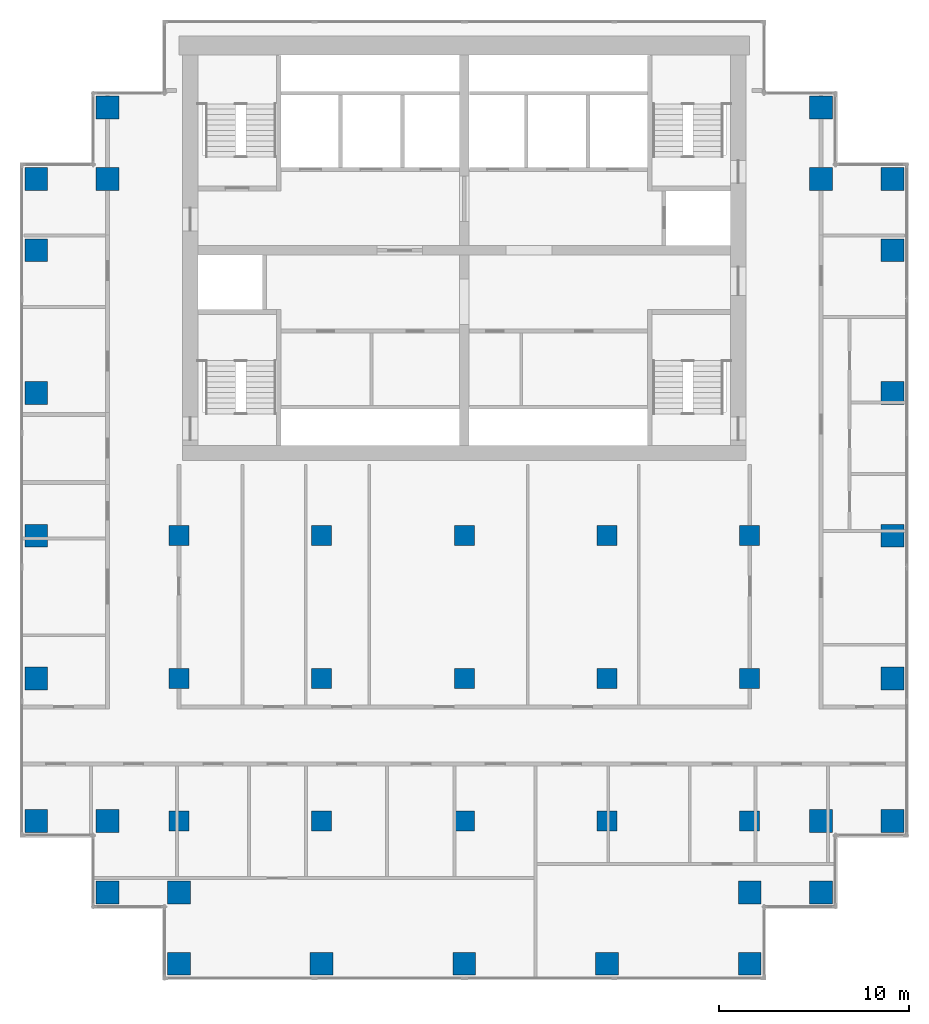
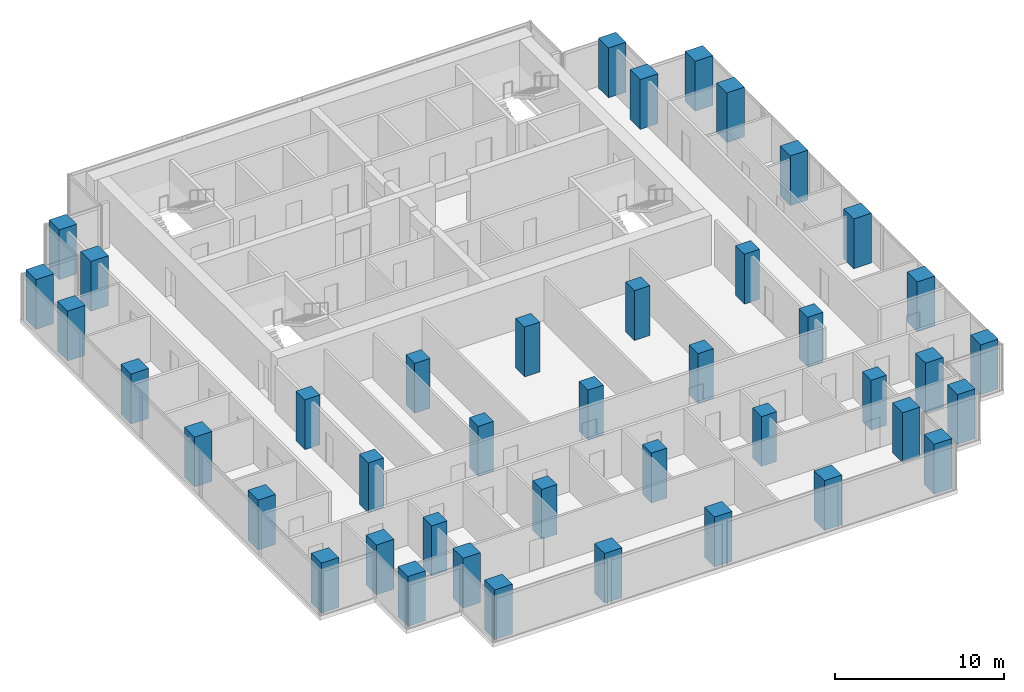
# One storey, part 1 of 11: 42 columns.
"""IFC4 building model written with IfcOpenShell, lengths in metres."""

from ifc_helpers import new_model, si_unit, direction, frame, origin, origin_2d, place, context, subcontext, project, spatial, rectangle, extrude, material, material_profile, profile_set, type_object, element, save


model = new_model("IFC4")

# Units and contexts
model_context = context("Model", 3, precision=1e-05, world=origin(), true_north=direction((0.0, 1.0)))
body_context = subcontext(model_context, "Body", "Model", "MODEL_VIEW")
ifc_project = project(units=[si_unit("LENGTHUNIT", "METRE"), si_unit("AREAUNIT", "SQUARE_METRE"), si_unit("VOLUMEUNIT", "CUBIC_METRE"), si_unit("PLANEANGLEUNIT", "RADIAN"), si_unit("MASSUNIT", "GRAM", prefix="KILO")], contexts=[model_context])

# Site, building, storey
site_placement = place(None, origin())
site = spatial("IfcSite", under=ifc_project, at=site_placement, CompositionType="ELEMENT")
building_placement = place(site_placement, origin())
building = spatial("IfcBuilding", under=site, at=building_placement, Name="Pilkhan Gate Tower", CompositionType="ELEMENT")
storey_placement = place(building_placement, frame((0.0, 0.0, 172.89990234375)))
storey = spatial("IfcBuildingStorey", under=building, at=storey_placement, Name="L44", CompositionType="ELEMENT", Elevation=172.89990234375)

# Columns
ifc_material = material(Name="Concrete C60/75", Category="concrete")
ifc_material_profile_1 = material_profile(ifc_material, rectangle(XDim=1.050048828125, YDim=1.050048828125, at=origin_2d()), Name="RC 1050x1050")
ifc_profile_set_1 = profile_set([ifc_material_profile_1], Name="Concrete C60/75")
column_type_1 = type_object("IfcColumnType", Name="Column C105 RC 1050x1050 C60/75", PredefinedType="COLUMN", material=ifc_profile_set_1)
for number, where, z_axis, x_axis, name in (
    (1, (60.0, 52.5, 0.0), (0.0, 0.0, 1.0), (1.0, 0.0, 0.0), "Column 7/D L44"),
    (2, (60.0, 60.0, 0.0), (0.0, 0.0, 1.0), (1.0, 0.0, 0.0), "Column 7/F L44"),
    (3, (60.0, 67.5, 0.0), (0.0, 0.0, 1.0), (1.0, 0.0, 0.0), "Column 7/H L44"),
    (4, (67.5, 52.5, 0.0), (0.0, 0.0, 1.0), (1.0, 0.0, 0.0), "Column 9/D L44"),
    (5, (67.5, 60.0, 0.0), (0.0, 0.0, 1.0), (1.0, 0.0, 0.0), "Column 9/F L44"),
    (6, (67.5, 67.5, 0.0), (0.0, 0.0, 1.0), (1.0, 0.0, 0.0), "Column 9/H L44"),
    (7, (75.0, 52.5, 0.0), (0.0, 0.0, 1.0), (1.0, 0.0, 0.0), "Column 11/D L44"),
    (8, (75.0, 60.0, 0.0), (0.0, 0.0, 1.0), (1.0, 0.0, 0.0), "Column 11/F L44"),
    (9, (75.0, 67.5, 0.0), (0.0, 0.0, 1.0), (1.0, 0.0, 0.0), "Column 11/H L44"),
    (10, (82.5, 52.5, 0.0), (0.0, 0.0, 1.0), (1.0, 0.0, 0.0), "Column 13/D L44"),
    (11, (82.5, 60.0, 0.0), (0.0, 0.0, 1.0), (1.0, 0.0, 0.0), "Column 13/F L44"),
    (12, (82.5, 67.5, 0.0), (0.0, 0.0, 1.0), (1.0, 0.0, 0.0), "Column 13/H L44"),
    (13, (90.0, 52.5, 0.0), (0.0, 0.0, 1.0), (1.0, 0.0, 0.0), "Column 15/D L44"),
    (14, (90.0, 60.0, 0.0), (0.0, 0.0, 1.0), (1.0, 0.0, 0.0), "Column 15/F L44"),
    (15, (90.0, 67.5, 0.0), (0.0, 0.0, 1.0), (1.0, 0.0, 0.0), "Column 15/H L44"),
):
    element("IfcColumn", number, at=place(storey_placement, frame(where, z_axis=z_axis, x_axis=x_axis)), inside=storey, type_object=column_type_1, Name=name, PredefinedType="COLUMN", context=body_context, shape_type="SweptSolid", body=[
        extrude(rectangle(XDim=1.050048828125, YDim=1.050048828125, at=origin_2d()), origin(), (0.0, 0.0, 1.0), 3.60009765625),
    ])
ifc_material_profile_2 = material_profile(ifc_material, rectangle(XDim=1.199951171875, YDim=1.199951171875, at=origin_2d()), Name="RC 1200x1200")
ifc_profile_set_2 = profile_set([ifc_material_profile_2], Name="Concrete C60/75")
column_type_2 = type_object("IfcColumnType", Name="Column C120 RC 1200x1200 C60/75", PredefinedType="COLUMN", material=ifc_profile_set_2)
for number, where, z_axis, x_axis, name in (
    (16, (52.5, 52.5, 0.0), (0.0, 0.0, 1.0), (1.0, 0.0, 0.0), "Column 5/D L44"),
    (17, (52.5, 60.0, 0.0), (0.0, 0.0, 1.0), (1.0, 0.0, 0.0), "Column 5/F L44"),
    (18, (52.5, 67.5, 0.0), (0.0, 0.0, 1.0), (1.0, 0.0, 0.0), "Column 5/H L44"),
    (19, (52.5, 75.0, 0.0), (0.0, 0.0, 1.0), (1.0, 0.0, 0.0), "Column 5/K L44"),
    (20, (52.5, 82.5, 0.0), (0.0, 0.0, 1.0), (1.0, 0.0, 0.0), "Column 5/M L44"),
    (21, (52.5, 86.25, 0.0), (0.0, 0.0, 1.0), (1.0, 0.0, 0.0), "Column 5/N L44"),
    (22, (56.25, 48.75, 0.0), (0.0, 0.0, 1.0), (1.0, 0.0, 0.0), "Column 6/C L44"),
    (23, (56.25, 52.5, 0.0), (0.0, 0.0, 1.0), (1.0, 0.0, 0.0), "Column 6/D L44"),
    (24, (56.25, 86.25, 0.0), (0.0, 0.0, 1.0), (1.0, 0.0, 0.0), "Column 6/N L44"),
    (25, (56.25, 90.0, 0.0), (0.0, 0.0, 1.0), (1.0, 0.0, 0.0), "Column 6/P L44"),
    (26, (60.0, 45.0, 0.0), (0.0, 0.0, 1.0), (1.0, 0.0, 0.0), "Column 7/B L44"),
    (27, (60.0, 48.75, 0.0), (0.0, 0.0, 1.0), (1.0, 0.0, 0.0), "Column 7/C L44"),
    (28, (67.5, 45.0, 0.0), (0.0, 0.0, 1.0), (1.0, 0.0, 0.0), "Column 9/B L44"),
    (29, (75.0, 45.0, 0.0), (0.0, 0.0, 1.0), (1.0, 0.0, 0.0), "Column 11/B L44"),
    (30, (82.5, 45.0, 0.0), (0.0, 0.0, 1.0), (1.0, 0.0, 0.0), "Column 13/B L44"),
    (31, (90.0, 45.0, 0.0), (0.0, 0.0, 1.0), (1.0, 0.0, 0.0), "Column 15/B L44"),
    (32, (90.0, 48.75, 0.0), (0.0, 0.0, 1.0), (1.0, 0.0, 0.0), "Column 15/C L44"),
    (33, (93.75, 48.75, 0.0), (0.0, 0.0, 1.0), (1.0, 0.0, 0.0), "Column 16/C L44"),
    (34, (93.75, 52.5, 0.0), (0.0, 0.0, 1.0), (1.0, 0.0, 0.0), "Column 16/D L44"),
    (35, (93.75, 86.25, 0.0), (0.0, 0.0, 1.0), (1.0, 0.0, 0.0), "Column 16/N L44"),
    (36, (93.75, 90.0, 0.0), (0.0, 0.0, 1.0), (1.0, 0.0, 0.0), "Column 16/P L44"),
    (37, (97.5, 52.5, 0.0), (0.0, 0.0, 1.0), (1.0, 0.0, 0.0), "Column 17/D L44"),
    (38, (97.5, 60.0, 0.0), (0.0, 0.0, 1.0), (1.0, 0.0, 0.0), "Column 17/F L44"),
    (39, (97.5, 67.5, 0.0), (0.0, 0.0, 1.0), (1.0, 0.0, 0.0), "Column 17/H L44"),
    (40, (97.5, 75.0, 0.0), (0.0, 0.0, 1.0), (1.0, 0.0, 0.0), "Column 17/K L44"),
    (41, (97.5, 82.5, 0.0), (0.0, 0.0, 1.0), (1.0, 0.0, 0.0), "Column 17/M L44"),
    (42, (97.5, 86.25, 0.0), (0.0, 0.0, 1.0), (1.0, 0.0, 0.0), "Column 17/N L44"),
):
    element("IfcColumn", number, at=place(storey_placement, frame(where, z_axis=z_axis, x_axis=x_axis)), inside=storey, type_object=column_type_2, Name=name, PredefinedType="COLUMN", context=body_context, shape_type="SweptSolid", body=[
        extrude(rectangle(XDim=1.199951171875, YDim=1.199951171875, at=origin_2d()), origin(), (0.0, 0.0, 1.0), 3.60009765625),
    ])

save(model, "model.ifc")
